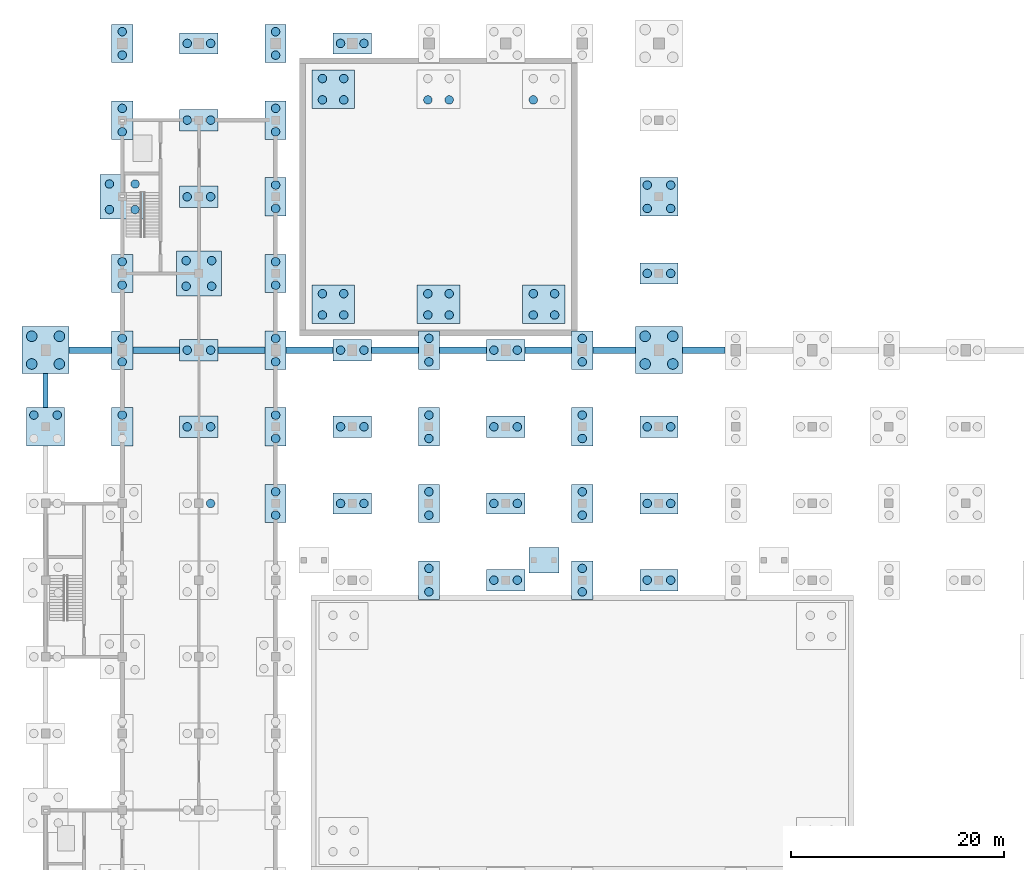
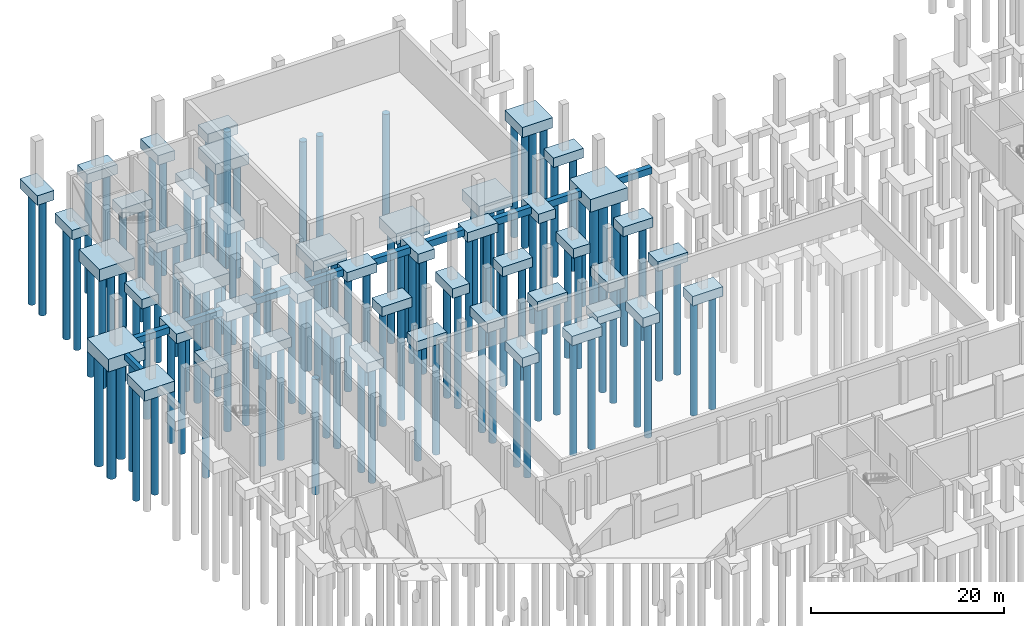
# One storey, part 4 of 35: 115 piles, 58 footings.
"""IFC4 building model written with IfcOpenShell, lengths in metres."""

from ifc_helpers import new_model, si_unit, direction, frame, origin, origin_2d, place, context, subcontext, project, spatial, polyline, rectangle, circle, outline, extrude, material, material_profile, profile_set, type_object, element, save


model = new_model("IFC4")

# Units and contexts
model_context = context("Model", 3, precision=1e-05, world=origin(), true_north=direction((0.0, 1.0)))
body_context = subcontext(model_context, "Body", "Model", "MODEL_VIEW")
ifc_project = project(units=[si_unit("LENGTHUNIT", "METRE"), si_unit("AREAUNIT", "SQUARE_METRE"), si_unit("VOLUMEUNIT", "CUBIC_METRE"), si_unit("PLANEANGLEUNIT", "RADIAN"), si_unit("MASSUNIT", "GRAM", prefix="KILO")], contexts=[model_context])

# Site, building, storey
site_placement = place(None, origin())
site = spatial("IfcSite", under=ifc_project, at=site_placement, CompositionType="ELEMENT")
building_placement = place(site_placement, origin())
building = spatial("IfcBuilding", under=site, at=building_placement, Name="Vesperath Aquatics Centre", CompositionType="ELEMENT")
storey_placement = place(building_placement, frame((0.0, 0.0, -5.39990234375)))
storey = spatial("IfcBuildingStorey", under=building, at=storey_placement, Name="B1", CompositionType="ELEMENT", Elevation=-5.39990234375)

# Footings
ifc_material_1 = material(Name="Concrete C40", Category="concrete")
footing_type_1 = type_object("IfcFootingType", Name="FT-GB02", PredefinedType="FOOTING_BEAM", material=ifc_material_1)
footing_1_placement = place(storey_placement, frame((0.0, 0.0, -1.2001953125)))
element("IfcFooting", 1, at=footing_1_placement, inside=storey, type_object=footing_type_1, Name="Foundation Ground Beam GB02 1 M-N", PredefinedType="FOOTING_BEAM", context=body_context, shape_type="SweptSolid", body=[
    extrude(outline(polyline([(-0.25, 81.0), (0.25, 81.0), (0.25, 84.199951171875), (-0.25, 84.199951171875), (-0.25, 81.0)])), origin(), (0.0, 0.0, 1.0), 0.75),
])
footing_type_2 = type_object("IfcFootingType", Name="FT-GB03", PredefinedType="FOOTING_BEAM", material=ifc_material_1)
footing_2_placement = place(storey_placement, frame((0.0, 0.0, -1.300048828125)))
element("IfcFooting", 2, at=footing_2_placement, inside=storey, type_object=footing_type_2, Name="Foundation Ground Beam GB03 N 1-2", PredefinedType="FOOTING_BEAM", context=body_context, shape_type="SweptSolid", body=[
    extrude(outline(polyline([(2.199951171875, 86.10009765625), (6.199951171875, 86.10009765625), (6.199951171875, 86.699951171875), (2.199951171875, 86.699951171875), (2.199951171875, 86.10009765625)])), origin(), (0.0, 0.0, 1.0), 0.849853515625),
])
footing_3_placement = place(storey_placement, frame((0.0, 0.0, -1.300048828125)))
element("IfcFooting", 3, at=footing_3_placement, inside=storey, type_object=footing_type_2, Name="Foundation Ground Beam GB03 N 2-3", PredefinedType="FOOTING_BEAM", context=body_context, shape_type="SweptSolid", body=[
    extrude(outline(polyline([(8.199951171875, 86.10009765625), (12.60009765625, 86.10009765625), (12.60009765625, 86.699951171875), (8.199951171875, 86.699951171875), (8.199951171875, 86.10009765625)])), origin(), (0.0, 0.0, 1.0), 0.849853515625),
])
footing_4_placement = place(storey_placement, frame((0.0, 0.0, -1.300048828125)))
element("IfcFooting", 4, at=footing_4_placement, inside=storey, type_object=footing_type_2, Name="Foundation Ground Beam GB03 N 3-4", PredefinedType="FOOTING_BEAM", context=body_context, shape_type="SweptSolid", body=[
    extrude(outline(polyline([(16.199951171875, 86.10009765625), (20.60009765625, 86.10009765625), (20.60009765625, 86.699951171875), (16.199951171875, 86.699951171875), (16.199951171875, 86.10009765625)])), origin(), (0.0, 0.0, 1.0), 0.849853515625),
])
footing_5_placement = place(storey_placement, frame((0.0, 0.0, -1.300048828125)))
element("IfcFooting", 5, at=footing_5_placement, inside=storey, type_object=footing_type_2, Name="Foundation Ground Beam GB03 N 4-5", PredefinedType="FOOTING_BEAM", context=body_context, shape_type="SweptSolid", body=[
    extrude(outline(polyline([(22.60009765625, 86.10009765625), (27.0, 86.10009765625), (27.0, 86.699951171875), (22.60009765625, 86.699951171875), (22.60009765625, 86.10009765625)])), origin(), (0.0, 0.0, 1.0), 0.849853515625),
])
footing_6_placement = place(storey_placement, frame((0.0, 0.0, -1.300048828125)))
element("IfcFooting", 6, at=footing_6_placement, inside=storey, type_object=footing_type_2, Name="Foundation Ground Beam GB03 N 5-6", PredefinedType="FOOTING_BEAM", context=body_context, shape_type="SweptSolid", body=[
    extrude(outline(polyline([(30.60009765625, 86.10009765625), (35.0, 86.10009765625), (35.0, 86.699951171875), (30.60009765625, 86.699951171875), (30.60009765625, 86.10009765625)])), origin(), (0.0, 0.0, 1.0), 0.849853515625),
])
footing_7_placement = place(storey_placement, frame((0.0, 0.0, -1.300048828125)))
element("IfcFooting", 7, at=footing_7_placement, inside=storey, type_object=footing_type_2, Name="Foundation Ground Beam GB03 N 6-7", PredefinedType="FOOTING_BEAM", context=body_context, shape_type="SweptSolid", body=[
    extrude(outline(polyline([(37.0, 86.10009765625), (41.39990234375, 86.10009765625), (41.39990234375, 86.699951171875), (37.0, 86.699951171875), (37.0, 86.10009765625)])), origin(), (0.0, 0.0, 1.0), 0.849853515625),
])
footing_8_placement = place(storey_placement, frame((0.0, 0.0, -1.300048828125)))
element("IfcFooting", 8, at=footing_8_placement, inside=storey, type_object=footing_type_2, Name="Foundation Ground Beam GB03 N 7-8", PredefinedType="FOOTING_BEAM", context=body_context, shape_type="SweptSolid", body=[
    extrude(outline(polyline([(45.0, 86.10009765625), (49.39990234375, 86.10009765625), (49.39990234375, 86.699951171875), (45.0, 86.699951171875), (45.0, 86.10009765625)])), origin(), (0.0, 0.0, 1.0), 0.849853515625),
])
footing_9_placement = place(storey_placement, frame((0.0, 0.0, -1.300048828125)))
element("IfcFooting", 9, at=footing_9_placement, inside=storey, type_object=footing_type_2, Name="Foundation Ground Beam GB03 N 8-9", PredefinedType="FOOTING_BEAM", context=body_context, shape_type="SweptSolid", body=[
    extrude(outline(polyline([(51.39990234375, 86.10009765625), (55.39990234375, 86.10009765625), (55.39990234375, 86.699951171875), (51.39990234375, 86.699951171875), (51.39990234375, 86.10009765625)])), origin(), (0.0, 0.0, 1.0), 0.849853515625),
])
footing_10_placement = place(storey_placement, frame((0.0, 0.0, -1.300048828125)))
element("IfcFooting", 10, at=footing_10_placement, inside=storey, type_object=footing_type_2, Name="Foundation Ground Beam GB03 N 9-10", PredefinedType="FOOTING_BEAM", context=body_context, shape_type="SweptSolid", body=[
    extrude(outline(polyline([(59.800048828125, 86.10009765625), (63.800048828125, 86.10009765625), (63.800048828125, 86.699951171875), (59.800048828125, 86.699951171875), (59.800048828125, 86.10009765625)])), origin(), (0.0, 0.0, 1.0), 0.849853515625),
])
footing_type_3 = type_object("IfcFootingType", Name="FT-PC01", PredefinedType="PILE_CAP", material=ifc_material_1)
for number, where, z_axis, x_axis, name in (
    (11, (14.39990234375, 79.199951171875, -1.64990234375), (0.0, 0.0, 1.0), (1.0, 0.0, 0.0), "Pile Cap PC01 at 3/M"),
    (12, (14.39990234375, 86.39990234375, -1.64990234375), (0.0, 0.0, 1.0), (1.0, 0.0, 0.0), "Pile Cap PC01 at 3/N"),
    (13, (14.39990234375, 100.800048828125, -1.64990234375), (0.0, 0.0, 1.0), (1.0, 0.0, 0.0), "Pile Cap PC01 at 3/Q"),
    (14, (14.39990234375, 108.0, -1.64990234375), (0.0, 0.0, 1.0), (1.0, 0.0, 0.0), "Pile Cap PC01 at 3/R"),
    (15, (14.39990234375, 115.199951171875, -1.64990234375), (0.0, 0.0, 1.0), (1.0, 0.0, 0.0), "Pile Cap PC01 at 3/S"),
    (16, (28.800048828125, 72.0, -1.64990234375), (0.0, 0.0, 1.0), (1.0, 0.0, 0.0), "Pile Cap PC01 at 5/L"),
    (17, (28.800048828125, 79.199951171875, -1.64990234375), (0.0, 0.0, 1.0), (1.0, 0.0, 0.0), "Pile Cap PC01 at 5/M"),
    (18, (28.800048828125, 86.39990234375, -1.64990234375), (0.0, 0.0, 1.0), (1.0, 0.0, 0.0), "Pile Cap PC01 at 5/N"),
    (19, (28.800048828125, 115.199951171875, -1.64990234375), (0.0, 0.0, 1.0), (1.0, 0.0, 0.0), "Pile Cap PC01 at 5/S"),
    (20, (43.199951171875, 64.800048828125, -1.64990234375), (0.0, 0.0, 1.0), (1.0, 0.0, 0.0), "Pile Cap PC01 at 7/K"),
    (21, (43.199951171875, 72.0, -1.64990234375), (0.0, 0.0, 1.0), (1.0, 0.0, 0.0), "Pile Cap PC01 at 7/L"),
    (22, (43.199951171875, 79.199951171875, -1.64990234375), (0.0, 0.0, 1.0), (1.0, 0.0, 0.0), "Pile Cap PC01 at 7/M"),
    (23, (43.199951171875, 86.39990234375, -1.64990234375), (0.0, 0.0, 1.0), (1.0, 0.0, 0.0), "Pile Cap PC01 at 7/N"),
    (24, (57.60009765625, 64.800048828125, -1.64990234375), (0.0, 0.0, 1.0), (1.0, 0.0, 0.0), "Pile Cap PC01 at 9/K"),
    (25, (57.60009765625, 72.0, -1.64990234375), (0.0, 0.0, 1.0), (1.0, 0.0, 0.0), "Pile Cap PC01 at 9/L"),
    (26, (57.60009765625, 79.199951171875, -1.64990234375), (0.0, 0.0, 1.0), (1.0, 0.0, 0.0), "Pile Cap PC01 at 9/M"),
    (27, (57.60009765625, 93.60009765625, -1.64990234375), (0.0, 0.0, 1.0), (1.0, 0.0, 0.0), "Pile Cap PC01 at 9/P"),
):
    element("IfcFooting", number, at=place(storey_placement, frame(where, z_axis=z_axis, x_axis=x_axis)), inside=storey, type_object=footing_type_3, Name=name, PredefinedType="PILE_CAP", context=body_context, shape_type="SweptSolid", body=[
        extrude(rectangle(XDim=3.60009765625, YDim=2.0, at=origin_2d()), origin(), (0.0, 0.0, 1.0), 1.199951171875),
    ])
footing_type_4 = type_object("IfcFootingType", Name="FT-PC02", PredefinedType="PILE_CAP", material=ifc_material_1)
for number, where, z_axis, x_axis, name in (
    (28, (7.199951171875, 79.199951171875, -1.64990234375), (0.0, 0.0, 1.0), (1.0, 0.0, 0.0), "Pile Cap PC02 at 2/M"),
    (29, (7.199951171875, 86.39990234375, -1.64990234375), (0.0, 0.0, 1.0), (1.0, 0.0, 0.0), "Pile Cap PC02 at 2/N"),
    (30, (7.199951171875, 93.60009765625, -1.64990234375), (0.0, 0.0, 1.0), (1.0, 0.0, 0.0), "Pile Cap PC02 at 2/P"),
    (31, (7.199951171875, 108.0, -1.64990234375), (0.0, 0.0, 1.0), (1.0, 0.0, 0.0), "Pile Cap PC02 at 2/R"),
    (32, (7.199951171875, 115.199951171875, -1.64990234375), (0.0, 0.0, 1.0), (1.0, 0.0, 0.0), "Pile Cap PC02 at 2/S"),
    (33, (21.60009765625, 72.0, -1.64990234375), (0.0, 0.0, 1.0), (1.0, 0.0, 0.0), "Pile Cap PC02 at 4/L"),
    (34, (21.60009765625, 79.199951171875, -1.64990234375), (0.0, 0.0, 1.0), (1.0, 0.0, 0.0), "Pile Cap PC02 at 4/M"),
    (35, (21.60009765625, 86.39990234375, -1.64990234375), (0.0, 0.0, 1.0), (1.0, 0.0, 0.0), "Pile Cap PC02 at 4/N"),
    (36, (21.60009765625, 93.60009765625, -1.64990234375), (0.0, 0.0, 1.0), (1.0, 0.0, 0.0), "Pile Cap PC02 at 4/P"),
    (37, (21.60009765625, 100.800048828125, -1.64990234375), (0.0, 0.0, 1.0), (1.0, 0.0, 0.0), "Pile Cap PC02 at 4/Q"),
    (38, (21.60009765625, 108.0, -1.64990234375), (0.0, 0.0, 1.0), (1.0, 0.0, 0.0), "Pile Cap PC02 at 4/R"),
    (39, (21.60009765625, 115.199951171875, -1.64990234375), (0.0, 0.0, 1.0), (1.0, 0.0, 0.0), "Pile Cap PC02 at 4/S"),
    (40, (36.0, 64.800048828125, -1.64990234375), (0.0, 0.0, 1.0), (1.0, 0.0, 0.0), "Pile Cap PC02 at 6/K"),
    (41, (36.0, 72.0, -1.64990234375), (0.0, 0.0, 1.0), (1.0, 0.0, 0.0), "Pile Cap PC02 at 6/L"),
    (42, (36.0, 79.199951171875, -1.64990234375), (0.0, 0.0, 1.0), (1.0, 0.0, 0.0), "Pile Cap PC02 at 6/M"),
    (43, (36.0, 86.39990234375, -1.64990234375), (0.0, 0.0, 1.0), (1.0, 0.0, 0.0), "Pile Cap PC02 at 6/N"),
    (44, (50.39990234375, 64.800048828125, -1.64990234375), (0.0, 0.0, 1.0), (1.0, 0.0, 0.0), "Pile Cap PC02 at 8/K"),
    (45, (50.39990234375, 72.0, -1.64990234375), (0.0, 0.0, 1.0), (1.0, 0.0, 0.0), "Pile Cap PC02 at 8/L"),
    (46, (50.39990234375, 79.199951171875, -1.64990234375), (0.0, 0.0, 1.0), (1.0, 0.0, 0.0), "Pile Cap PC02 at 8/M"),
    (47, (50.39990234375, 86.39990234375, -1.64990234375), (0.0, 0.0, 1.0), (1.0, 0.0, 0.0), "Pile Cap PC02 at 8/N"),
):
    element("IfcFooting", number, at=place(storey_placement, frame(where, z_axis=z_axis, x_axis=x_axis)), inside=storey, type_object=footing_type_4, Name=name, PredefinedType="PILE_CAP", context=body_context, shape_type="SweptSolid", body=[
        extrude(rectangle(XDim=2.0, YDim=3.60009765625, at=origin_2d()), origin(), (0.0, 0.0, 1.0), 1.199951171875),
    ])
footing_type_5 = type_object("IfcFootingType", Name="FT-PC03", PredefinedType="PILE_CAP", material=ifc_material_1)
for number, where, z_axis, x_axis, name in (
    (48, (0.0, 79.199951171875, -1.75), (0.0, 0.0, 1.0), (1.0, 0.0, 0.0), "Pile Cap PC03 at 1/M"),
    (49, (57.60009765625, 100.800048828125, -1.75), (0.0, 0.0, 1.0), (1.0, 0.0, 0.0), "Pile Cap PC03 at 9/Q"),
):
    element("IfcFooting", number, at=place(storey_placement, frame(where, z_axis=z_axis, x_axis=x_axis)), inside=storey, type_object=footing_type_5, Name=name, PredefinedType="PILE_CAP", context=body_context, shape_type="SweptSolid", body=[
        extrude(rectangle(XDim=3.60009765625, YDim=3.60009765625, at=origin_2d()), origin(), (0.0, 0.0, 1.0), 1.300048828125),
    ])
footing_type_6 = type_object("IfcFootingType", Name="FT-PC06", PredefinedType="PILE_CAP", material=ifc_material_1)
for number, where, z_axis, x_axis, name in (
    (50, (7.199951171875, 100.800048828125, -1.9501953125), (0.0, 0.0, 1.0), (1.0, 0.0, 0.0), "Pile Cap PC06 at 2/Q"),
    (51, (14.39990234375, 93.60009765625, -1.9501953125), (0.0, 0.0, 1.0), (1.0, 0.0, 0.0), "Pile Cap PC06 at 3/P"),
):
    element("IfcFooting", number, at=place(storey_placement, frame(where, z_axis=z_axis, x_axis=x_axis)), inside=storey, type_object=footing_type_6, Name=name, PredefinedType="PILE_CAP", context=body_context, shape_type="SweptSolid", body=[
        extrude(rectangle(XDim=4.199951171875, YDim=4.199951171875, at=origin_2d()), origin(), (0.0, 0.0, 1.0), 1.5),
    ])
footing_type_7 = type_object("IfcFootingType", Name="FT-PC07", PredefinedType="PILE_CAP", material=ifc_material_1)
for number, where, z_axis, x_axis, name in (
    (52, (0.0, 86.39990234375, -2.050048828125), (0.0, 0.0, 1.0), (1.0, 0.0, 0.0), "Pile Cap PC07 at 1/N"),
    (53, (57.60009765625, 86.39990234375, -2.050048828125), (0.0, 0.0, 1.0), (1.0, 0.0, 0.0), "Pile Cap PC07 at 9/N"),
):
    element("IfcFooting", number, at=place(storey_placement, frame(where, z_axis=z_axis, x_axis=x_axis)), inside=storey, type_object=footing_type_7, Name=name, PredefinedType="PILE_CAP", context=body_context, shape_type="SweptSolid", body=[
        extrude(rectangle(XDim=4.39990234375, YDim=4.39990234375, at=origin_2d()), origin(), (0.0, 0.0, 1.0), 1.60009765625),
    ])
footing_type_8 = type_object("IfcFootingType", Name="FT-PC09", PredefinedType="PILE_CAP", material=ifc_material_1)
for number, where, z_axis, x_axis, name in (
    (54, (27.0, 90.699951171875, -1.800048828125), (0.0, 0.0, 1.0), (1.0, 0.0, 0.0), "Diving Pool Well Sub-Basin Pile Cap PC09-1"),
    (55, (27.0, 110.89990234375, -1.800048828125), (0.0, 0.0, 1.0), (1.0, 0.0, 0.0), "Diving Pool Well Sub-Basin Pile Cap PC09-2"),
    (56, (36.89990234375, 90.699951171875, -1.800048828125), (0.0, 0.0, 1.0), (1.0, 0.0, 0.0), "Diving Pool Well Sub-Basin Pile Cap PC09-3"),
    (57, (46.800048828125, 90.699951171875, -1.800048828125), (0.0, 0.0, 1.0), (1.0, 0.0, 0.0), "Diving Pool Well Sub-Basin Pile Cap PC09-5"),
):
    element("IfcFooting", number, at=place(storey_placement, frame(where, z_axis=z_axis, x_axis=x_axis)), inside=storey, type_object=footing_type_8, Name=name, PredefinedType="PILE_CAP", context=body_context, shape_type="SweptSolid", body=[
        extrude(rectangle(XDim=4.0, YDim=3.60009765625, at=origin_2d()), origin(), (0.0, 0.0, 1.0), 1.35009765625),
    ])
footing_type_9 = type_object("IfcFootingType", Name="FT-PF03", PredefinedType="PAD_FOOTING", material=ifc_material_1)
footing_11_placement = place(storey_placement, frame((46.800048828125, 66.679931640625, -1.39990234375), z_axis=(0.0, 0.0, 1.0), x_axis=(1.0, 0.0, 0.0)))
element("IfcFooting", 58, at=footing_11_placement, inside=storey, type_object=footing_type_9, Name="Vomitory VOM-05 Portal Pad Footing PF03", PredefinedType="PAD_FOOTING", context=body_context, shape_type="SweptSolid", body=[
    extrude(rectangle(XDim=2.800048828125, YDim=2.39990234375, at=origin_2d()), origin(), (0.0, 0.0, 1.0), 0.949951171875),
])

# Piles
ifc_material_2 = material(Name="Concrete C35", Category="concrete")
ifc_material_profile_1 = material_profile(ifc_material_2, circle(Radius=0.39990234375, at=origin_2d()), Name="PILE D800")
ifc_profile_set_1 = profile_set([ifc_material_profile_1], Name="Concrete C35")
pile_type_1 = type_object("IfcPileType", Name="PL-BP01", PredefinedType="BORED", material=ifc_profile_set_1)
for number, where, z_axis, x_axis, name in (
    (59, (-1.10009765625, 80.300048828125, -1.60009765625), (0.0, 0.0, -1.0), (1.0, 0.0, 0.0), "Bored Pile BP01 CAP_00_11-3"),
    (60, (1.10009765625, 80.300048828125, -1.60009765625), (0.0, 0.0, -1.0), (1.0, 0.0, 0.0), "Bored Pile BP01 CAP_00_11-4"),
):
    element("IfcPile", number, at=place(storey_placement, frame(where, z_axis=z_axis, x_axis=x_axis)), inside=storey, type_object=pile_type_1, Name=name, PredefinedType="BORED", context=body_context, shape_type="SweptSolid", body=[
        extrude(circle(Radius=0.39990234375, at=origin_2d()), origin(), (0.0, 0.0, 1.0), 14.5),
    ])
for number, where, z_axis, x_axis, name in (
    (61, (7.199951171875, 80.300048828125, -1.5), (0.0, 0.0, -1.0), (1.0, 0.0, 0.0), "Bored Pile BP01 CAP_01_11-2"),
    (62, (7.199951171875, 85.300048828125, -1.5), (0.0, 0.0, -1.0), (1.0, 0.0, 0.0), "Bored Pile BP01 CAP_01_12-1"),
    (63, (7.199951171875, 87.5, -1.5), (0.0, 0.0, -1.0), (1.0, 0.0, 0.0), "Bored Pile BP01 CAP_01_12-2"),
    (64, (7.199951171875, 92.5, -1.5), (0.0, 0.0, -1.0), (1.0, 0.0, 0.0), "Bored Pile BP01 CAP_01_13-1"),
    (65, (7.199951171875, 94.699951171875, -1.5), (0.0, 0.0, -1.0), (1.0, 0.0, 0.0), "Bored Pile BP01 CAP_01_13-2"),
):
    element("IfcPile", number, at=place(storey_placement, frame(where, z_axis=z_axis, x_axis=x_axis)), inside=storey, type_object=pile_type_1, Name=name, PredefinedType="BORED", context=body_context, shape_type="SweptSolid", body=[
        extrude(circle(Radius=0.39990234375, at=origin_2d()), origin(), (0.0, 0.0, 1.0), 14.60009765625),
    ])
for number, where, z_axis, x_axis, name in (
    (66, (6.0, 99.60009765625, -1.800048828125), (0.0, 0.0, -1.0), (1.0, 0.0, 0.0), "Bored Pile BP01 CAP_01_14-1"),
    (67, (8.39990234375, 99.60009765625, -1.800048828125), (0.0, 0.0, -1.0), (1.0, 0.0, 0.0), "Bored Pile BP01 CAP_01_14-2"),
    (68, (6.0, 102.0, -1.800048828125), (0.0, 0.0, -1.0), (1.0, 0.0, 0.0), "Bored Pile BP01 CAP_01_14-3"),
    (69, (8.39990234375, 102.0, -1.800048828125), (0.0, 0.0, -1.0), (1.0, 0.0, 0.0), "Bored Pile BP01 CAP_01_14-4"),
):
    element("IfcPile", number, at=place(storey_placement, frame(where, z_axis=z_axis, x_axis=x_axis)), inside=storey, type_object=pile_type_1, Name=name, PredefinedType="BORED", context=body_context, shape_type="SweptSolid", body=[
        extrude(circle(Radius=0.39990234375, at=origin_2d()), origin(), (0.0, 0.0, 1.0), 14.300048828125),
    ])
for number, where, z_axis, x_axis, name in (
    (70, (7.199951171875, 106.89990234375, -1.5), (0.0, 0.0, -1.0), (1.0, 0.0, 0.0), "Bored Pile BP01 CAP_01_15-1"),
    (71, (7.199951171875, 109.10009765625, -1.5), (0.0, 0.0, -1.0), (1.0, 0.0, 0.0), "Bored Pile BP01 CAP_01_15-2"),
    (72, (7.199951171875, 114.10009765625, -1.5), (0.0, 0.0, -1.0), (1.0, 0.0, 0.0), "Bored Pile BP01 CAP_01_16-1"),
    (73, (7.199951171875, 116.300048828125, -1.5), (0.0, 0.0, -1.0), (1.0, 0.0, 0.0), "Bored Pile BP01 CAP_01_16-2"),
    (74, (15.5, 72.0, -1.5), (0.0, 0.0, -1.0), (1.0, 0.0, 0.0), "Bored Pile BP01 CAP_02_10-2"),
    (75, (13.300048828125, 79.199951171875, -1.5), (0.0, 0.0, -1.0), (1.0, 0.0, 0.0), "Bored Pile BP01 CAP_02_11-1"),
    (76, (15.5, 79.199951171875, -1.5), (0.0, 0.0, -1.0), (1.0, 0.0, 0.0), "Bored Pile BP01 CAP_02_11-2"),
    (77, (13.300048828125, 86.39990234375, -1.5), (0.0, 0.0, -1.0), (1.0, 0.0, 0.0), "Bored Pile BP01 CAP_02_12-1"),
    (78, (15.5, 86.39990234375, -1.5), (0.0, 0.0, -1.0), (1.0, 0.0, 0.0), "Bored Pile BP01 CAP_02_12-2"),
):
    element("IfcPile", number, at=place(storey_placement, frame(where, z_axis=z_axis, x_axis=x_axis)), inside=storey, type_object=pile_type_1, Name=name, PredefinedType="BORED", context=body_context, shape_type="SweptSolid", body=[
        extrude(circle(Radius=0.39990234375, at=origin_2d()), origin(), (0.0, 0.0, 1.0), 14.60009765625),
    ])
for number, where, z_axis, x_axis, name in (
    (79, (13.199951171875, 92.39990234375, -1.800048828125), (0.0, 0.0, -1.0), (1.0, 0.0, 0.0), "Bored Pile BP01 CAP_02_13-1"),
    (80, (15.60009765625, 92.39990234375, -1.800048828125), (0.0, 0.0, -1.0), (1.0, 0.0, 0.0), "Bored Pile BP01 CAP_02_13-2"),
    (81, (13.199951171875, 94.800048828125, -1.800048828125), (0.0, 0.0, -1.0), (1.0, 0.0, 0.0), "Bored Pile BP01 CAP_02_13-3"),
    (82, (15.60009765625, 94.800048828125, -1.800048828125), (0.0, 0.0, -1.0), (1.0, 0.0, 0.0), "Bored Pile BP01 CAP_02_13-4"),
):
    element("IfcPile", number, at=place(storey_placement, frame(where, z_axis=z_axis, x_axis=x_axis)), inside=storey, type_object=pile_type_1, Name=name, PredefinedType="BORED", context=body_context, shape_type="SweptSolid", body=[
        extrude(circle(Radius=0.39990234375, at=origin_2d()), origin(), (0.0, 0.0, 1.0), 14.300048828125),
    ])
for number, where, z_axis, x_axis, name in (
    (83, (13.300048828125, 100.800048828125, -1.5), (0.0, 0.0, -1.0), (1.0, 0.0, 0.0), "Bored Pile BP01 CAP_02_14-1"),
    (84, (15.5, 100.800048828125, -1.5), (0.0, 0.0, -1.0), (1.0, 0.0, 0.0), "Bored Pile BP01 CAP_02_14-2"),
    (85, (13.300048828125, 108.0, -1.5), (0.0, 0.0, -1.0), (1.0, 0.0, 0.0), "Bored Pile BP01 CAP_02_15-1"),
    (86, (15.5, 108.0, -1.5), (0.0, 0.0, -1.0), (1.0, 0.0, 0.0), "Bored Pile BP01 CAP_02_15-2"),
    (87, (13.300048828125, 115.199951171875, -1.5), (0.0, 0.0, -1.0), (1.0, 0.0, 0.0), "Bored Pile BP01 CAP_02_16-1"),
    (88, (15.5, 115.199951171875, -1.5), (0.0, 0.0, -1.0), (1.0, 0.0, 0.0), "Bored Pile BP01 CAP_02_16-2"),
    (89, (21.60009765625, 70.89990234375, -1.5), (0.0, 0.0, -1.0), (1.0, 0.0, 0.0), "Bored Pile BP01 CAP_03_10-1"),
    (90, (21.60009765625, 73.10009765625, -1.5), (0.0, 0.0, -1.0), (1.0, 0.0, 0.0), "Bored Pile BP01 CAP_03_10-2"),
    (91, (21.60009765625, 78.10009765625, -1.5), (0.0, 0.0, -1.0), (1.0, 0.0, 0.0), "Bored Pile BP01 CAP_03_11-1"),
    (92, (21.60009765625, 80.300048828125, -1.5), (0.0, 0.0, -1.0), (1.0, 0.0, 0.0), "Bored Pile BP01 CAP_03_11-2"),
    (93, (21.60009765625, 85.300048828125, -1.5), (0.0, 0.0, -1.0), (1.0, 0.0, 0.0), "Bored Pile BP01 CAP_03_12-1"),
    (94, (21.60009765625, 87.5, -1.5), (0.0, 0.0, -1.0), (1.0, 0.0, 0.0), "Bored Pile BP01 CAP_03_12-2"),
    (95, (21.60009765625, 92.5, -1.5), (0.0, 0.0, -1.0), (1.0, 0.0, 0.0), "Bored Pile BP01 CAP_03_13-1"),
    (96, (21.60009765625, 94.699951171875, -1.5), (0.0, 0.0, -1.0), (1.0, 0.0, 0.0), "Bored Pile BP01 CAP_03_13-2"),
    (97, (21.60009765625, 99.699951171875, -1.5), (0.0, 0.0, -1.0), (1.0, 0.0, 0.0), "Bored Pile BP01 CAP_03_14-1"),
    (98, (21.60009765625, 101.89990234375, -1.5), (0.0, 0.0, -1.0), (1.0, 0.0, 0.0), "Bored Pile BP01 CAP_03_14-2"),
    (99, (21.60009765625, 106.89990234375, -1.5), (0.0, 0.0, -1.0), (1.0, 0.0, 0.0), "Bored Pile BP01 CAP_03_15-1"),
    (100, (21.60009765625, 109.10009765625, -1.5), (0.0, 0.0, -1.0), (1.0, 0.0, 0.0), "Bored Pile BP01 CAP_03_15-2"),
    (101, (21.60009765625, 114.10009765625, -1.5), (0.0, 0.0, -1.0), (1.0, 0.0, 0.0), "Bored Pile BP01 CAP_03_16-1"),
    (102, (21.60009765625, 116.300048828125, -1.5), (0.0, 0.0, -1.0), (1.0, 0.0, 0.0), "Bored Pile BP01 CAP_03_16-2"),
    (103, (27.699951171875, 72.0, -1.5), (0.0, 0.0, -1.0), (1.0, 0.0, 0.0), "Bored Pile BP01 CAP_04_10-1"),
    (104, (29.89990234375, 72.0, -1.5), (0.0, 0.0, -1.0), (1.0, 0.0, 0.0), "Bored Pile BP01 CAP_04_10-2"),
    (105, (27.699951171875, 79.199951171875, -1.5), (0.0, 0.0, -1.0), (1.0, 0.0, 0.0), "Bored Pile BP01 CAP_04_11-1"),
    (106, (29.89990234375, 79.199951171875, -1.5), (0.0, 0.0, -1.0), (1.0, 0.0, 0.0), "Bored Pile BP01 CAP_04_11-2"),
    (107, (27.699951171875, 86.39990234375, -1.5), (0.0, 0.0, -1.0), (1.0, 0.0, 0.0), "Bored Pile BP01 CAP_04_12-1"),
    (108, (29.89990234375, 86.39990234375, -1.5), (0.0, 0.0, -1.0), (1.0, 0.0, 0.0), "Bored Pile BP01 CAP_04_12-2"),
    (109, (27.699951171875, 115.199951171875, -1.5), (0.0, 0.0, -1.0), (1.0, 0.0, 0.0), "Bored Pile BP01 CAP_04_16-1"),
    (110, (29.89990234375, 115.199951171875, -1.5), (0.0, 0.0, -1.0), (1.0, 0.0, 0.0), "Bored Pile BP01 CAP_04_16-2"),
    (111, (36.0, 63.699951171875, -1.5), (0.0, 0.0, -1.0), (1.0, 0.0, 0.0), "Bored Pile BP01 CAP_05_09-1"),
    (112, (36.0, 65.89990234375, -1.5), (0.0, 0.0, -1.0), (1.0, 0.0, 0.0), "Bored Pile BP01 CAP_05_09-2"),
    (113, (36.0, 70.89990234375, -1.5), (0.0, 0.0, -1.0), (1.0, 0.0, 0.0), "Bored Pile BP01 CAP_05_10-1"),
    (114, (36.0, 73.10009765625, -1.5), (0.0, 0.0, -1.0), (1.0, 0.0, 0.0), "Bored Pile BP01 CAP_05_10-2"),
    (115, (36.0, 78.10009765625, -1.5), (0.0, 0.0, -1.0), (1.0, 0.0, 0.0), "Bored Pile BP01 CAP_05_11-1"),
    (116, (36.0, 80.300048828125, -1.5), (0.0, 0.0, -1.0), (1.0, 0.0, 0.0), "Bored Pile BP01 CAP_05_11-2"),
    (117, (36.0, 85.300048828125, -1.5), (0.0, 0.0, -1.0), (1.0, 0.0, 0.0), "Bored Pile BP01 CAP_05_12-1"),
    (118, (36.0, 87.5, -1.5), (0.0, 0.0, -1.0), (1.0, 0.0, 0.0), "Bored Pile BP01 CAP_05_12-2"),
    (119, (42.10009765625, 64.800048828125, -1.5), (0.0, 0.0, -1.0), (1.0, 0.0, 0.0), "Bored Pile BP01 CAP_06_09-1"),
    (120, (44.300048828125, 64.800048828125, -1.5), (0.0, 0.0, -1.0), (1.0, 0.0, 0.0), "Bored Pile BP01 CAP_06_09-2"),
    (121, (42.10009765625, 72.0, -1.5), (0.0, 0.0, -1.0), (1.0, 0.0, 0.0), "Bored Pile BP01 CAP_06_10-1"),
    (122, (44.300048828125, 72.0, -1.5), (0.0, 0.0, -1.0), (1.0, 0.0, 0.0), "Bored Pile BP01 CAP_06_10-2"),
    (123, (42.10009765625, 79.199951171875, -1.5), (0.0, 0.0, -1.0), (1.0, 0.0, 0.0), "Bored Pile BP01 CAP_06_11-1"),
    (124, (44.300048828125, 79.199951171875, -1.5), (0.0, 0.0, -1.0), (1.0, 0.0, 0.0), "Bored Pile BP01 CAP_06_11-2"),
    (125, (42.10009765625, 86.39990234375, -1.5), (0.0, 0.0, -1.0), (1.0, 0.0, 0.0), "Bored Pile BP01 CAP_06_12-1"),
    (126, (44.300048828125, 86.39990234375, -1.5), (0.0, 0.0, -1.0), (1.0, 0.0, 0.0), "Bored Pile BP01 CAP_06_12-2"),
    (127, (50.39990234375, 63.699951171875, -1.5), (0.0, 0.0, -1.0), (1.0, 0.0, 0.0), "Bored Pile BP01 CAP_07_09-1"),
    (128, (50.39990234375, 65.89990234375, -1.5), (0.0, 0.0, -1.0), (1.0, 0.0, 0.0), "Bored Pile BP01 CAP_07_09-2"),
    (129, (50.39990234375, 70.89990234375, -1.5), (0.0, 0.0, -1.0), (1.0, 0.0, 0.0), "Bored Pile BP01 CAP_07_10-1"),
    (130, (50.39990234375, 73.10009765625, -1.5), (0.0, 0.0, -1.0), (1.0, 0.0, 0.0), "Bored Pile BP01 CAP_07_10-2"),
    (131, (50.39990234375, 78.10009765625, -1.5), (0.0, 0.0, -1.0), (1.0, 0.0, 0.0), "Bored Pile BP01 CAP_07_11-1"),
    (132, (50.39990234375, 80.300048828125, -1.5), (0.0, 0.0, -1.0), (1.0, 0.0, 0.0), "Bored Pile BP01 CAP_07_11-2"),
    (133, (50.39990234375, 85.300048828125, -1.5), (0.0, 0.0, -1.0), (1.0, 0.0, 0.0), "Bored Pile BP01 CAP_07_12-1"),
    (134, (50.39990234375, 87.5, -1.5), (0.0, 0.0, -1.0), (1.0, 0.0, 0.0), "Bored Pile BP01 CAP_07_12-2"),
    (135, (56.5, 64.800048828125, -1.5), (0.0, 0.0, -1.0), (1.0, 0.0, 0.0), "Bored Pile BP01 CAP_08_09-1"),
    (136, (58.699951171875, 64.800048828125, -1.5), (0.0, 0.0, -1.0), (1.0, 0.0, 0.0), "Bored Pile BP01 CAP_08_09-2"),
    (137, (56.5, 72.0, -1.5), (0.0, 0.0, -1.0), (1.0, 0.0, 0.0), "Bored Pile BP01 CAP_08_10-1"),
    (138, (58.699951171875, 72.0, -1.5), (0.0, 0.0, -1.0), (1.0, 0.0, 0.0), "Bored Pile BP01 CAP_08_10-2"),
    (139, (56.5, 79.199951171875, -1.5), (0.0, 0.0, -1.0), (1.0, 0.0, 0.0), "Bored Pile BP01 CAP_08_11-1"),
    (140, (58.699951171875, 79.199951171875, -1.5), (0.0, 0.0, -1.0), (1.0, 0.0, 0.0), "Bored Pile BP01 CAP_08_11-2"),
    (141, (56.5, 93.60009765625, -1.5), (0.0, 0.0, -1.0), (1.0, 0.0, 0.0), "Bored Pile BP01 CAP_08_13-1"),
    (142, (58.699951171875, 93.60009765625, -1.5), (0.0, 0.0, -1.0), (1.0, 0.0, 0.0), "Bored Pile BP01 CAP_08_13-2"),
):
    element("IfcPile", number, at=place(storey_placement, frame(where, z_axis=z_axis, x_axis=x_axis)), inside=storey, type_object=pile_type_1, Name=name, PredefinedType="BORED", context=body_context, shape_type="SweptSolid", body=[
        extrude(circle(Radius=0.39990234375, at=origin_2d()), origin(), (0.0, 0.0, 1.0), 14.60009765625),
    ])
for number, where, z_axis, x_axis, name in (
    (143, (56.5, 99.699951171875, -1.60009765625), (0.0, 0.0, -1.0), (1.0, 0.0, 0.0), "Bored Pile BP01 CAP_08_14-1"),
    (144, (58.699951171875, 99.699951171875, -1.60009765625), (0.0, 0.0, -1.0), (1.0, 0.0, 0.0), "Bored Pile BP01 CAP_08_14-2"),
    (145, (56.5, 101.89990234375, -1.60009765625), (0.0, 0.0, -1.0), (1.0, 0.0, 0.0), "Bored Pile BP01 CAP_08_14-3"),
    (146, (58.699951171875, 101.89990234375, -1.60009765625), (0.0, 0.0, -1.0), (1.0, 0.0, 0.0), "Bored Pile BP01 CAP_08_14-4"),
):
    element("IfcPile", number, at=place(storey_placement, frame(where, z_axis=z_axis, x_axis=x_axis)), inside=storey, type_object=pile_type_1, Name=name, PredefinedType="BORED", context=body_context, shape_type="SweptSolid", body=[
        extrude(circle(Radius=0.39990234375, at=origin_2d()), origin(), (0.0, 0.0, 1.0), 14.5),
    ])
for number, where, z_axis, x_axis, name in (
    (147, (26.0, 89.699951171875, -1.650146484375), (0.0, 0.0, -1.0), (1.0, 0.0, 0.0), "Bored Pile BP01 CAP_POOL_DIVE_01-1"),
    (148, (28.0, 89.699951171875, -1.650146484375), (0.0, 0.0, -1.0), (1.0, 0.0, 0.0), "Bored Pile BP01 CAP_POOL_DIVE_01-2"),
    (149, (26.0, 91.699951171875, -1.650146484375), (0.0, 0.0, -1.0), (1.0, 0.0, 0.0), "Bored Pile BP01 CAP_POOL_DIVE_01-3"),
    (150, (28.0, 91.699951171875, -1.650146484375), (0.0, 0.0, -1.0), (1.0, 0.0, 0.0), "Bored Pile BP01 CAP_POOL_DIVE_01-4"),
    (151, (26.0, 109.89990234375, -1.650146484375), (0.0, 0.0, -1.0), (1.0, 0.0, 0.0), "Bored Pile BP01 CAP_POOL_DIVE_02-1"),
    (152, (28.0, 109.89990234375, -1.650146484375), (0.0, 0.0, -1.0), (1.0, 0.0, 0.0), "Bored Pile BP01 CAP_POOL_DIVE_02-2"),
    (153, (26.0, 111.89990234375, -1.650146484375), (0.0, 0.0, -1.0), (1.0, 0.0, 0.0), "Bored Pile BP01 CAP_POOL_DIVE_02-3"),
    (154, (28.0, 111.89990234375, -1.650146484375), (0.0, 0.0, -1.0), (1.0, 0.0, 0.0), "Bored Pile BP01 CAP_POOL_DIVE_02-4"),
    (155, (35.89990234375, 89.699951171875, -1.650146484375), (0.0, 0.0, -1.0), (1.0, 0.0, 0.0), "Bored Pile BP01 CAP_POOL_DIVE_03-1"),
    (156, (37.89990234375, 89.699951171875, -1.650146484375), (0.0, 0.0, -1.0), (1.0, 0.0, 0.0), "Bored Pile BP01 CAP_POOL_DIVE_03-2"),
    (157, (35.89990234375, 91.699951171875, -1.650146484375), (0.0, 0.0, -1.0), (1.0, 0.0, 0.0), "Bored Pile BP01 CAP_POOL_DIVE_03-3"),
    (158, (37.89990234375, 91.699951171875, -1.650146484375), (0.0, 0.0, -1.0), (1.0, 0.0, 0.0), "Bored Pile BP01 CAP_POOL_DIVE_03-4"),
    (159, (35.89990234375, 109.89990234375, -1.650146484375), (0.0, 0.0, -1.0), (1.0, 0.0, 0.0), "Bored Pile BP01 CAP_POOL_DIVE_04-1"),
    (160, (37.89990234375, 109.89990234375, -1.650146484375), (0.0, 0.0, -1.0), (1.0, 0.0, 0.0), "Bored Pile BP01 CAP_POOL_DIVE_04-2"),
    (161, (45.800048828125, 89.699951171875, -1.650146484375), (0.0, 0.0, -1.0), (1.0, 0.0, 0.0), "Bored Pile BP01 CAP_POOL_DIVE_05-1"),
    (162, (47.800048828125, 89.699951171875, -1.650146484375), (0.0, 0.0, -1.0), (1.0, 0.0, 0.0), "Bored Pile BP01 CAP_POOL_DIVE_05-2"),
    (163, (45.800048828125, 91.699951171875, -1.650146484375), (0.0, 0.0, -1.0), (1.0, 0.0, 0.0), "Bored Pile BP01 CAP_POOL_DIVE_05-3"),
    (164, (47.800048828125, 91.699951171875, -1.650146484375), (0.0, 0.0, -1.0), (1.0, 0.0, 0.0), "Bored Pile BP01 CAP_POOL_DIVE_05-4"),
    (165, (45.800048828125, 109.89990234375, -1.650146484375), (0.0, 0.0, -1.0), (1.0, 0.0, 0.0), "Bored Pile BP01 CAP_POOL_DIVE_06-1"),
):
    element("IfcPile", number, at=place(storey_placement, frame(where, z_axis=z_axis, x_axis=x_axis)), inside=storey, type_object=pile_type_1, Name=name, PredefinedType="BORED", context=body_context, shape_type="SweptSolid", body=[
        extrude(circle(Radius=0.39990234375, at=origin_2d()), origin(), (0.0, 0.0, 1.0), 14.449951171875),
    ])
ifc_material_profile_2 = material_profile(ifc_material_2, circle(Radius=0.5, at=origin_2d()), Name="PILE D1000")
ifc_profile_set_2 = profile_set([ifc_material_profile_2], Name="Concrete C35")
pile_type_2 = type_object("IfcPileType", Name="PL-BP02", PredefinedType="BORED", material=ifc_profile_set_2)
for number, where, z_axis, x_axis, name in (
    (166, (-1.300048828125, 85.10009765625, -1.900146484375), (0.0, 0.0, -1.0), (1.0, 0.0, 0.0), "Bored Pile BP02 CAP_00_12-1"),
    (167, (1.300048828125, 85.10009765625, -1.900146484375), (0.0, 0.0, -1.0), (1.0, 0.0, 0.0), "Bored Pile BP02 CAP_00_12-2"),
    (168, (-1.300048828125, 87.699951171875, -1.900146484375), (0.0, 0.0, -1.0), (1.0, 0.0, 0.0), "Bored Pile BP02 CAP_00_12-3"),
    (169, (1.300048828125, 87.699951171875, -1.900146484375), (0.0, 0.0, -1.0), (1.0, 0.0, 0.0), "Bored Pile BP02 CAP_00_12-4"),
    (170, (56.300048828125, 85.10009765625, -1.900146484375), (0.0, 0.0, -1.0), (1.0, 0.0, 0.0), "Bored Pile BP02 CAP_08_12-1"),
    (171, (58.89990234375, 85.10009765625, -1.900146484375), (0.0, 0.0, -1.0), (1.0, 0.0, 0.0), "Bored Pile BP02 CAP_08_12-2"),
    (172, (56.300048828125, 87.699951171875, -1.900146484375), (0.0, 0.0, -1.0), (1.0, 0.0, 0.0), "Bored Pile BP02 CAP_08_12-3"),
    (173, (58.89990234375, 87.699951171875, -1.900146484375), (0.0, 0.0, -1.0), (1.0, 0.0, 0.0), "Bored Pile BP02 CAP_08_12-4"),
):
    element("IfcPile", number, at=place(storey_placement, frame(where, z_axis=z_axis, x_axis=x_axis)), inside=storey, type_object=pile_type_2, Name=name, PredefinedType="BORED", context=body_context, shape_type="SweptSolid", body=[
        extrude(circle(Radius=0.5, at=origin_2d()), origin(), (0.0, 0.0, 1.0), 14.199951171875),
    ])

save(model, "model.ifc")
